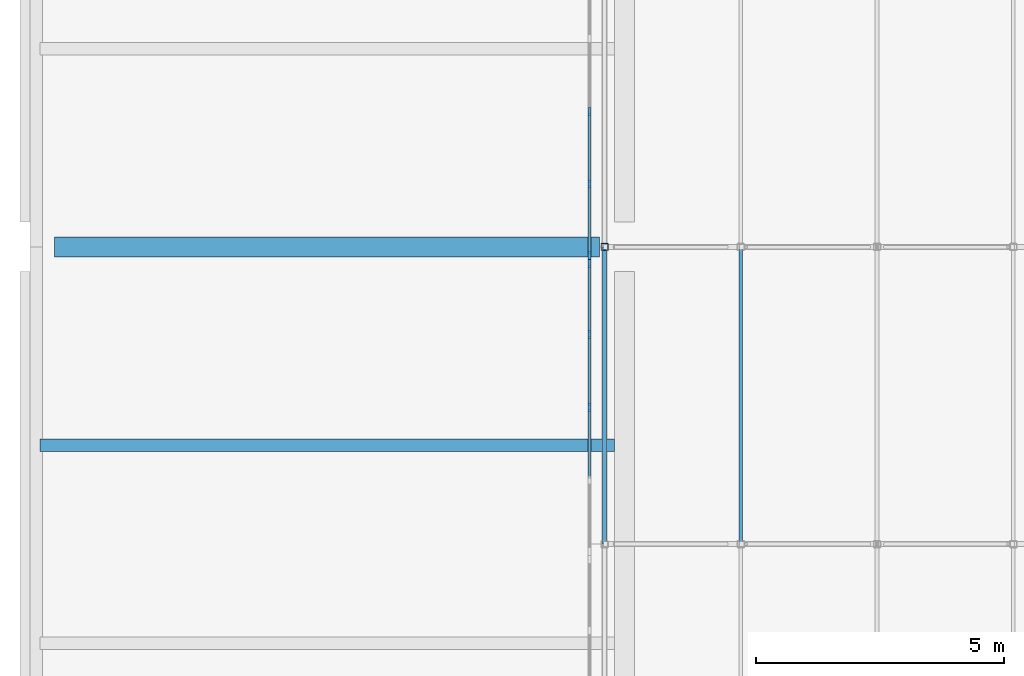
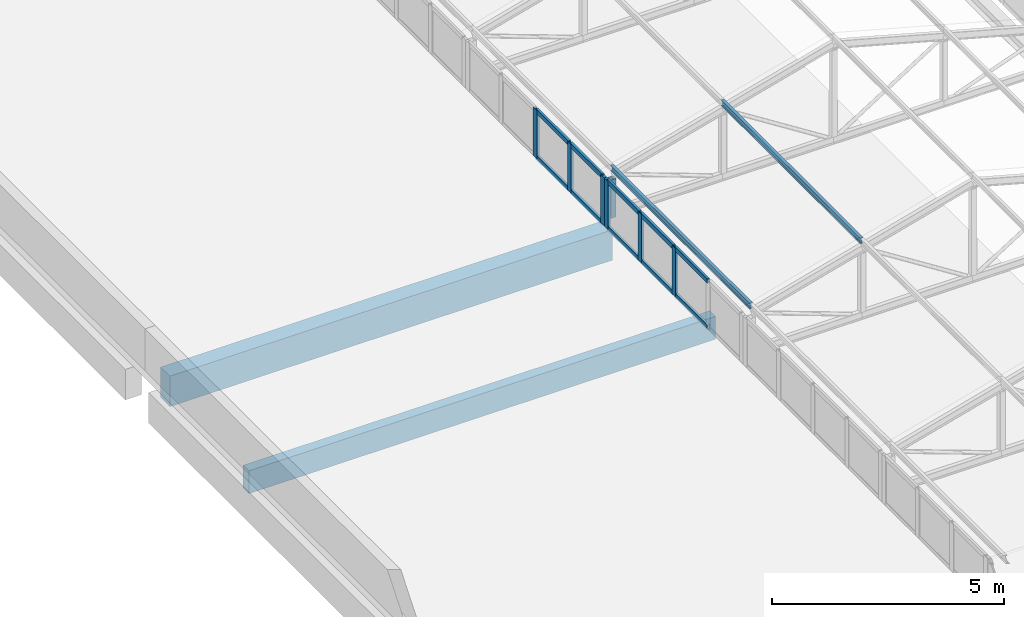
# One storey, part 47 of 94: 19 members, 2 beams, 2 elements without a shape of their own.
"""IFC4 building model written with IfcOpenShell, lengths in metres."""

from ifc_helpers import new_model, si_unit, direction, frame, origin, origin_2d, place, context, subcontext, project, spatial, rectangle, hollow_rectangle, i_section, extrude, material, layer, layer_set, material_profile, profile_set, type_object, element, aggregate, save


model = new_model("IFC4")

# Units and contexts
model_context = context("Model", 3, precision=1e-05, world=origin(), true_north=direction((0.0, 1.0)))
body_context = subcontext(model_context, "Body", "Model", "MODEL_VIEW")
ifc_project = project(units=[si_unit("LENGTHUNIT", "METRE"), si_unit("AREAUNIT", "SQUARE_METRE"), si_unit("VOLUMEUNIT", "CUBIC_METRE"), si_unit("PLANEANGLEUNIT", "RADIAN"), si_unit("MASSUNIT", "GRAM", prefix="KILO")], contexts=[model_context])

# Site, building, storey
site_placement = place(None, origin())
site = spatial("IfcSite", under=ifc_project, at=site_placement, CompositionType="ELEMENT")
building_placement = place(site_placement, origin())
building = spatial("IfcBuilding", under=site, at=building_placement, Name="Lilac Gate Convention Centre", CompositionType="ELEMENT")
storey_placement = place(building_placement, frame((0.0, 0.0, 21.0)))
storey = spatial("IfcBuildingStorey", under=building, at=storey_placement, Name="L04", CompositionType="ELEMENT", Elevation=21.0)

# Curtain wall, members
ifc_material_1 = material(Name="Aluminium framed double glazing", Category="aluminium")
ifc_layer = layer(ifc_material_1, 0.199951171875)
ifc_layer_set = layer_set([ifc_layer], Name="Aluminium framed double glazing")
curtain_wall_type = type_object("IfcCurtainWallType", Name="Unitised curtain wall 1500", PredefinedType="NOTDEFINED", material=ifc_layer_set)
curtain_wall_1_placement = place(storey_placement, origin())
curtain_wall_1 = element("IfcCurtainWall", 1, at=curtain_wall_1_placement, inside=storey, type_object=curtain_wall_type, Name="Lantern clerestory W 26", PredefinedType="NOTDEFINED")
ifc_material_2 = material(Name="Aluminium alloy 6063", Category="aluminium")
ifc_material_profile_1 = material_profile(ifc_material_2, rectangle(XDim=0.06005859375, YDim=0.159912109375, at=origin_2d()), Name="Curtain wall mullion 60 x 160")
ifc_profile_set_1 = profile_set([ifc_material_profile_1], Name="Aluminium alloy 6063")
member_type_1 = type_object("IfcMemberType", Name="Curtain wall mullion 60 x 160", PredefinedType="MULLION", material=ifc_profile_set_1)
member_1_placement = place(storey_placement, frame((17.300048828125, 182.762451171875, 0.0), z_axis=(0.0, 0.0, 1.0), x_axis=(-1.0, 0.0, 0.0)))
member_1 = element("IfcMember", 2, at=member_1_placement, type_object=member_type_1, Name="CW mullion 3", PredefinedType="MULLION", context=body_context, shape_type="SweptSolid", body=[
    extrude(rectangle(XDim=0.06005859375, YDim=0.159912109375, at=origin_2d()), origin(), (0.0, 0.0, 1.0), 1.272216796875),
])
member_2_placement = place(storey_placement, frame((17.300048828125, 184.231201171875, 0.0), z_axis=(0.0, 0.0, 1.0), x_axis=(-1.0, 0.0, 0.0)))
member_2 = element("IfcMember", 3, at=member_2_placement, type_object=member_type_1, Name="CW mullion 4", PredefinedType="MULLION", context=body_context, shape_type="SweptSolid", body=[
    extrude(rectangle(XDim=0.06005859375, YDim=0.159912109375, at=origin_2d()), origin(), (0.0, 0.0, 1.0), 1.272216796875),
])
member_3_placement = place(storey_placement, frame((17.300048828125, 185.669921875, 0.0), z_axis=(0.0, 0.0, 1.0), x_axis=(-1.0, 0.0, 0.0)))
member_3 = element("IfcMember", 4, at=member_3_placement, type_object=member_type_1, Name="CW mullion 5", PredefinedType="MULLION", context=body_context, shape_type="SweptSolid", body=[
    extrude(rectangle(XDim=0.06005859375, YDim=0.159912109375, at=origin_2d()), origin(), (0.0, 0.0, 1.0), 1.272216796875),
])

curtain_wall_2_placement = place(storey_placement, origin())
curtain_wall_2 = element("IfcCurtainWall", 5, at=curtain_wall_2_placement, inside=storey, type_object=curtain_wall_type, Name="Lantern clerestory W 27", PredefinedType="NOTDEFINED")
member_4_placement = place(storey_placement, frame((17.300048828125, 185.830078125, 0.0), z_axis=(0.0, 0.0, 1.0), x_axis=(-1.0, 0.0, 0.0)))
member_4 = element("IfcMember", 6, at=member_4_placement, type_object=member_type_1, Name="CW mullion 1", PredefinedType="MULLION", context=body_context, shape_type="SweptSolid", body=[
    extrude(rectangle(XDim=0.06005859375, YDim=0.159912109375, at=origin_2d()), origin(), (0.0, 0.0, 1.0), 1.272216796875),
])
member_5_placement = place(storey_placement, frame((17.300048828125, 187.268798828125, 0.0), z_axis=(0.0, 0.0, 1.0), x_axis=(-1.0, 0.0, 0.0)))
member_5 = element("IfcMember", 7, at=member_5_placement, type_object=member_type_1, Name="CW mullion 2", PredefinedType="MULLION", context=body_context, shape_type="SweptSolid", body=[
    extrude(rectangle(XDim=0.06005859375, YDim=0.159912109375, at=origin_2d()), origin(), (0.0, 0.0, 1.0), 1.272216796875),
])
member_6_placement = place(storey_placement, frame((17.300048828125, 188.737548828125, 0.0), z_axis=(0.0, 0.0, 1.0), x_axis=(-1.0, 0.0, 0.0)))
member_6 = element("IfcMember", 8, at=member_6_placement, type_object=member_type_1, Name="CW mullion 3", PredefinedType="MULLION", context=body_context, shape_type="SweptSolid", body=[
    extrude(rectangle(XDim=0.06005859375, YDim=0.159912109375, at=origin_2d()), origin(), (0.0, 0.0, 1.0), 1.272216796875),
])

# Member
ifc_material_profile_2 = material_profile(ifc_material_2, rectangle(XDim=0.06005859375, YDim=0.1201171875, at=origin_2d()), Name="Curtain wall transom 60 x 120")
ifc_profile_set_2 = profile_set([ifc_material_profile_2], Name="Aluminium alloy 6063")
member_type_2 = type_object("IfcMemberType", Name="Curtain wall transom 60 x 120", PredefinedType="USERDEFINED", material=ifc_profile_set_2)
member_7_placement = place(storey_placement, frame((17.300048828125, 181.32373046875, 0.030029296875), z_axis=(0.0, 1.0, 0.0), x_axis=(-1.0, 0.0, 0.0)))
member_7 = element("IfcMember", 9, at=member_7_placement, type_object=member_type_2, Name="CW transom 2.1", ObjectType="TRANSOM", PredefinedType="USERDEFINED", context=body_context, shape_type="SweptSolid", body=[
    extrude(rectangle(XDim=0.06005859375, YDim=0.1201171875, at=origin_2d()), origin(), (0.0, 0.0, 1.0), 1.40869140625),
])

member_8_placement = place(storey_placement, frame((17.300048828125, 181.32373046875, 1.2421875), z_axis=(0.0, 1.0, 0.0), x_axis=(-1.0, 0.0, 0.0)))
member_8 = element("IfcMember", 10, at=member_8_placement, type_object=member_type_2, Name="CW transom 2.2", ObjectType="TRANSOM", PredefinedType="USERDEFINED", context=body_context, shape_type="SweptSolid", body=[
    extrude(rectangle(XDim=0.06005859375, YDim=0.1201171875, at=origin_2d()), origin(), (0.0, 0.0, 1.0), 1.40869140625),
])

member_9_placement = place(storey_placement, frame((17.300048828125, 182.79248046875, 0.030029296875), z_axis=(0.0, 1.0, 0.0), x_axis=(-1.0, 0.0, 0.0)))
member_9 = element("IfcMember", 11, at=member_9_placement, type_object=member_type_2, Name="CW transom 3.1", ObjectType="TRANSOM", PredefinedType="USERDEFINED", context=body_context, shape_type="SweptSolid", body=[
    extrude(rectangle(XDim=0.06005859375, YDim=0.1201171875, at=origin_2d()), origin(), (0.0, 0.0, 1.0), 1.40869140625),
])

member_10_placement = place(storey_placement, frame((17.300048828125, 182.79248046875, 1.2421875), z_axis=(0.0, 1.0, 0.0), x_axis=(-1.0, 0.0, 0.0)))
member_10 = element("IfcMember", 12, at=member_10_placement, type_object=member_type_2, Name="CW transom 3.2", ObjectType="TRANSOM", PredefinedType="USERDEFINED", context=body_context, shape_type="SweptSolid", body=[
    extrude(rectangle(XDim=0.06005859375, YDim=0.1201171875, at=origin_2d()), origin(), (0.0, 0.0, 1.0), 1.40869140625),
])

member_11_placement = place(storey_placement, frame((17.300048828125, 184.26123046875, 0.030029296875), z_axis=(0.0, 1.0, 0.0), x_axis=(-1.0, 0.0, 0.0)))
member_11 = element("IfcMember", 13, at=member_11_placement, type_object=member_type_2, Name="CW transom 4.1", ObjectType="TRANSOM", PredefinedType="USERDEFINED", context=body_context, shape_type="SweptSolid", body=[
    extrude(rectangle(XDim=0.06005859375, YDim=0.1201171875, at=origin_2d()), origin(), (0.0, 0.0, 1.0), 1.378662109375),
])

member_12_placement = place(storey_placement, frame((17.300048828125, 184.26123046875, 1.2421875), z_axis=(0.0, 1.0, 0.0), x_axis=(-1.0, 0.0, 0.0)))
member_12 = element("IfcMember", 14, at=member_12_placement, type_object=member_type_2, Name="CW transom 4.2", ObjectType="TRANSOM", PredefinedType="USERDEFINED", context=body_context, shape_type="SweptSolid", body=[
    extrude(rectangle(XDim=0.06005859375, YDim=0.1201171875, at=origin_2d()), origin(), (0.0, 0.0, 1.0), 1.378662109375),
])

aggregate(curtain_wall_1, [member_1, member_2, member_3, member_7, member_8, member_9, member_10, member_11, member_12])

member_13_placement = place(storey_placement, frame((17.300048828125, 185.860107421875, 0.030029296875), z_axis=(0.0, 1.0, 0.0), x_axis=(-1.0, 0.0, 0.0)))
member_13 = element("IfcMember", 15, at=member_13_placement, type_object=member_type_2, Name="CW transom 1.1", ObjectType="TRANSOM", PredefinedType="USERDEFINED", context=body_context, shape_type="SweptSolid", body=[
    extrude(rectangle(XDim=0.06005859375, YDim=0.1201171875, at=origin_2d()), origin(), (0.0, 0.0, 1.0), 1.378662109375),
])

member_14_placement = place(storey_placement, frame((17.300048828125, 185.860107421875, 1.2421875), z_axis=(0.0, 1.0, 0.0), x_axis=(-1.0, 0.0, 0.0)))
member_14 = element("IfcMember", 16, at=member_14_placement, type_object=member_type_2, Name="CW transom 1.2", ObjectType="TRANSOM", PredefinedType="USERDEFINED", context=body_context, shape_type="SweptSolid", body=[
    extrude(rectangle(XDim=0.06005859375, YDim=0.1201171875, at=origin_2d()), origin(), (0.0, 0.0, 1.0), 1.378662109375),
])

member_15_placement = place(storey_placement, frame((17.300048828125, 187.298828125, 0.030029296875), z_axis=(0.0, 1.0, 0.0), x_axis=(-1.0, 0.0, 0.0)))
member_15 = element("IfcMember", 17, at=member_15_placement, type_object=member_type_2, Name="CW transom 2.1", ObjectType="TRANSOM", PredefinedType="USERDEFINED", context=body_context, shape_type="SweptSolid", body=[
    extrude(rectangle(XDim=0.06005859375, YDim=0.1201171875, at=origin_2d()), origin(), (0.0, 0.0, 1.0), 1.40869140625),
])

member_16_placement = place(storey_placement, frame((17.300048828125, 187.298828125, 1.2421875), z_axis=(0.0, 1.0, 0.0), x_axis=(-1.0, 0.0, 0.0)))
member_16 = element("IfcMember", 18, at=member_16_placement, type_object=member_type_2, Name="CW transom 2.2", ObjectType="TRANSOM", PredefinedType="USERDEFINED", context=body_context, shape_type="SweptSolid", body=[
    extrude(rectangle(XDim=0.06005859375, YDim=0.1201171875, at=origin_2d()), origin(), (0.0, 0.0, 1.0), 1.40869140625),
])

aggregate(curtain_wall_2, [member_4, member_5, member_6, member_13, member_14, member_15, member_16])

# Members
ifc_material_3 = material(Name="Steel Q355B", Category="steel")
ifc_material_profile_3 = material_profile(ifc_material_3, hollow_rectangle(XDim=0.139892578125, YDim=0.139892578125, WallThickness=0.0048828125, InnerFilletRadius=0.0048828125, OuterFilletRadius=0.010009765625, at=origin_2d()), Name="SHS140x140x5")
ifc_profile_set_3 = profile_set([ifc_material_profile_3], Name="Steel Q355B")
member_type_3 = type_object("IfcMemberType", Name="Lantern post SHS140x140x5", PredefinedType="STRUT", material=ifc_profile_set_3)
member_17_placement = place(storey_placement, frame((17.60009765625, 186.0, 0.0), z_axis=(0.0, 0.0, 1.0), x_axis=(1.0, 0.0, 0.0)))
element("IfcMember", 19, at=member_17_placement, inside=storey, type_object=member_type_3, Name="LV1 lantern truss 27 post 1", PredefinedType="STRUT", context=body_context, shape_type="SweptSolid", body=[
    extrude(hollow_rectangle(XDim=0.139892578125, YDim=0.139892578125, WallThickness=0.0048828125, InnerFilletRadius=0.0048828125, OuterFilletRadius=0.010009765625, at=origin_2d()), origin(), (0.0, 0.0, 1.0), 1.001953125),
])
ifc_material_profile_4 = material_profile(ifc_material_3, i_section(OverallWidth=0.074951171875, OverallDepth=0.14990234375, WebThickness=0.0048828125, FlangeThickness=0.007080078125, FilletRadius=0.008056640625, at=origin_2d()), Name="HN150x75x5x7")
ifc_profile_set_4 = profile_set([ifc_material_profile_4], Name="Steel Q355B")
member_type_4 = type_object("IfcMemberType", Name="Lantern purlin HN150x75x5x7", PredefinedType="PURLIN", material=ifc_profile_set_4)
for number, where, z_axis, x_axis, name in (
    (20, (17.60009765625, 180.0, 1.279052734375), (0.0, 1.0, 0.0), (-1.0, 0.0, 0.0), "LP1 lantern purlin bay 26 line 1"),
    (21, (20.35009765625, 180.0, 2.029052734375), (0.0, 1.0, 0.0), (-1.0, 0.0, 0.0), "LP1 lantern purlin bay 26 line 2"),
):
    element("IfcMember", number, at=place(storey_placement, frame(where, z_axis=z_axis, x_axis=x_axis)), inside=storey, type_object=member_type_4, Name=name, PredefinedType="PURLIN", context=body_context, shape_type="SweptSolid", body=[
        extrude(i_section(OverallWidth=0.074951171875, OverallDepth=0.14990234375, WebThickness=0.0048828125, FlangeThickness=0.007080078125, FilletRadius=0.008056640625, at=origin_2d()), origin(), (0.0, 0.0, 1.0), 6.0),
    ])

# Beams
ifc_material_4 = material(Name="Concrete C40", Category="concrete")
ifc_material_profile_5 = material_profile(ifc_material_4, rectangle(XDim=0.39990234375, YDim=0.800048828125, at=origin_2d()), Name="RC 400x800")
ifc_profile_set_5 = profile_set([ifc_material_profile_5], Name="Concrete C40")
beam_type_1 = type_object("IfcBeamType", Name="Tower primary beam 400x800 C40", PredefinedType="BEAM", material=ifc_profile_set_5)
beam_1_placement = place(storey_placement, frame((6.5, 186.0, -0.60009765625), z_axis=(1.0, 0.0, 0.0), x_axis=(0.0, 1.0, 0.0)))
element("IfcBeam", 22, at=beam_1_placement, inside=storey, type_object=beam_type_1, Name="RB3 L04 1/P-2/P", PredefinedType="BEAM", context=body_context, shape_type="SweptSolid", body=[
    extrude(rectangle(XDim=0.39990234375, YDim=0.800048828125, at=origin_2d()), origin(), (0.0, 0.0, 1.0), 11.0),
])
ifc_material_profile_6 = material_profile(ifc_material_4, rectangle(XDim=0.25, YDim=0.60009765625, at=origin_2d()), Name="RC 250x600")
ifc_profile_set_6 = profile_set([ifc_material_profile_6], Name="Concrete C40")
beam_type_2 = type_object("IfcBeamType", Name="Tower secondary beam 250x600 C40", PredefinedType="BEAM", material=ifc_profile_set_6)
beam_2_placement = place(storey_placement, frame((6.199951171875, 182.0, -0.5), z_axis=(1.0, 0.0, 0.0), x_axis=(0.0, 1.0, 0.0)))
element("IfcBeam", 23, at=beam_2_placement, inside=storey, type_object=beam_type_2, Name="RB4 L04 bay 1/N", PredefinedType="BEAM", context=body_context, shape_type="SweptSolid", body=[
    extrude(rectangle(XDim=0.25, YDim=0.60009765625, at=origin_2d()), origin(), (0.0, 0.0, 1.0), 11.60009765625),
])

save(model, "model.ifc")
